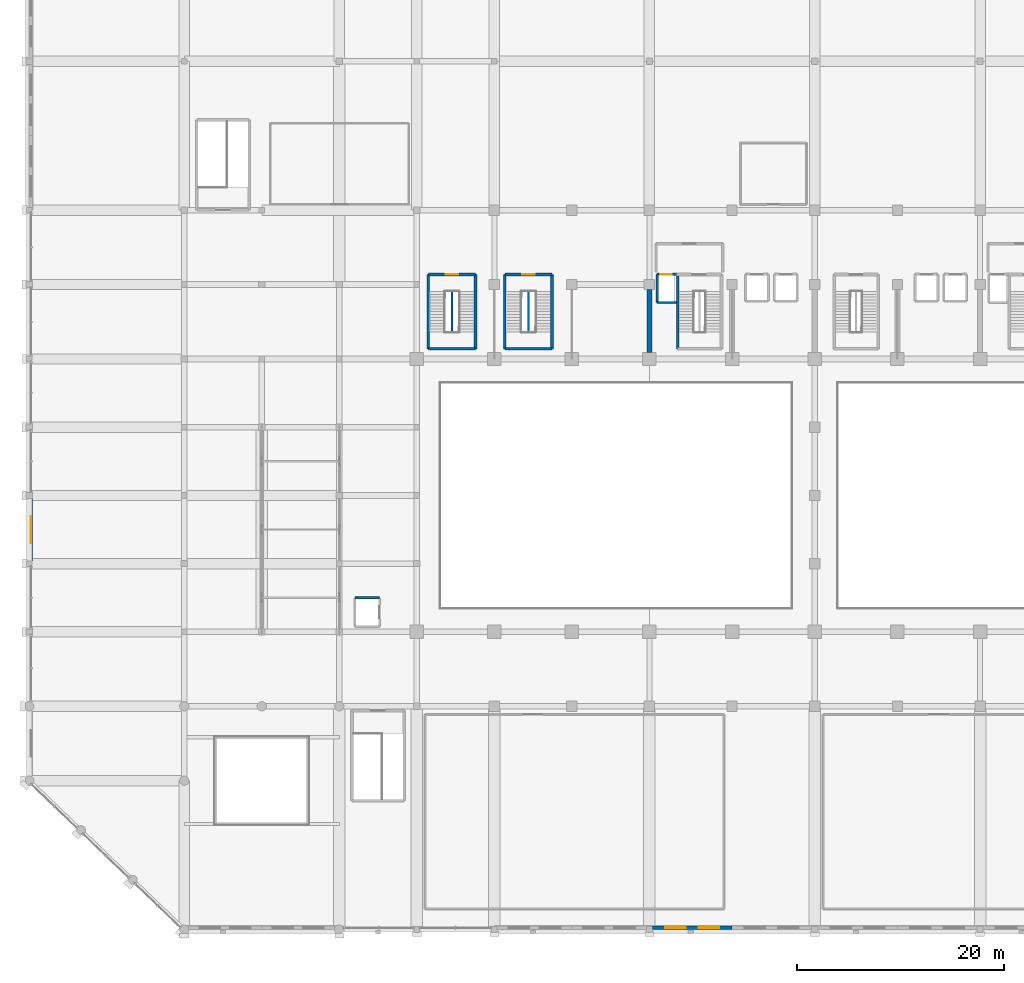
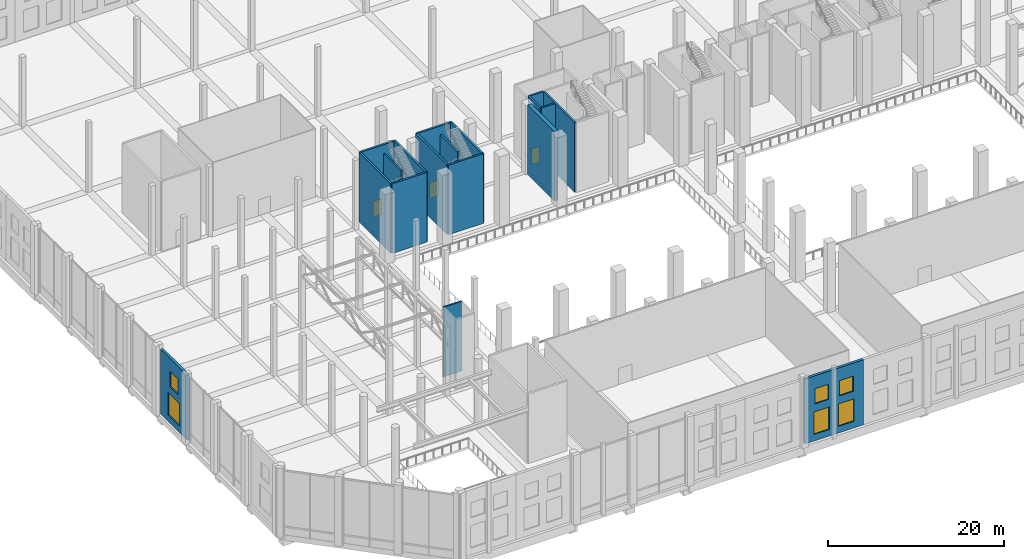
# One storey, part 62 of 80: 18 walls, 6 windows, 3 doors, 9 openings.
"""IFC4 building model written with IfcOpenShell, lengths in metres."""

from ifc_helpers import new_model, si_unit, direction, frame, frame_2d, origin, place, context, subcontext, project, spatial, rectangle, extrude, material, layer, layer_set, type_object, element, fill, save


model = new_model("IFC4")

# Units and contexts
model_context = context("Model", 3, precision=1e-05, world=origin(), true_north=direction((0.0, 1.0)))
body_context = subcontext(model_context, "Body", "Model", "MODEL_VIEW")
ifc_project = project(units=[si_unit("LENGTHUNIT", "METRE"), si_unit("AREAUNIT", "SQUARE_METRE"), si_unit("VOLUMEUNIT", "CUBIC_METRE"), si_unit("PLANEANGLEUNIT", "RADIAN"), si_unit("MASSUNIT", "GRAM", prefix="KILO")], contexts=[model_context])

# Site, building, storey
site_placement = place(None, origin())
site = spatial("IfcSite", under=ifc_project, at=site_placement, CompositionType="ELEMENT")
building_placement = place(site_placement, origin())
building = spatial("IfcBuilding", under=site, at=building_placement, Name="Akrevak Sports Hall", CompositionType="ELEMENT")
storey_placement = place(building_placement, frame((0.0, 0.0, 14.0)))
storey = spatial("IfcBuildingStorey", under=building, at=storey_placement, Name="L03", CompositionType="ELEMENT", Elevation=14.0)

# Wall, openings, windows
ifc_material_1 = material(Name="Limestone Ashlar", Category="stone")
ifc_layer_1 = layer(ifc_material_1, 0.070068359375, Name="Limestone Ashlar")
ifc_material_2 = material(Name="Mineral Wool Thermal Insulation", Category="insulation")
ifc_layer_2 = layer(ifc_material_2, 0.10009765625, Name="Mineral Wool Thermal Insulation")
ifc_material_3 = material(Name="Concrete C40/50", Category="concrete")
ifc_layer_3 = layer(ifc_material_3, 0.169921875, Name="Concrete C40/50")
ifc_layer_set_1 = layer_set([ifc_layer_1, ifc_layer_2, ifc_layer_3], Name="Limestone Ashlar / Mineral Wool Thermal Insulation / Concrete C40/50")
wall_type_1 = type_object("IfcWallType", Name="ARC-WL-EXT-340", PredefinedType="SOLIDWALL", material=ifc_layer_set_1)
wall_1_placement = place(storey_placement, frame((60.300048828125, 0.169921875, 0.0), z_axis=(0.0, 0.0, 1.0), x_axis=(1.0, 0.0, 0.0)))
wall_1 = element("IfcWall", 1, at=wall_1_placement, inside=storey, type_object=wall_type_1, Name="Exterior Limestone Wall L03-S07", PredefinedType="SOLIDWALL", context=body_context, shape_type="SweptSolid", body=[
    extrude(rectangle(XDim=7.699951171875, YDim=0.340087890625, at=frame_2d((3.85009765625, 0.0))), origin(), (0.0, 0.0, 1.0), 9.0),
])
opening_1_placement = place(wall_1_placement, frame((1.23291015625, 0.0, 0.919921875)))
opening_1 = element("IfcOpeningElement", 2, at=opening_1_placement, cuts=wall_1, Name="Opening WN-41", PredefinedType="OPENING", context=body_context, shape_type="SweptSolid", body=[
    extrude(rectangle(XDim=2.0, YDim=3.10009765625, at=frame_2d((1.0, 1.550048828125))), frame((0.0, 0.18212890625, 0.0), z_axis=(0.0, -1.0, 0.0), x_axis=(1.0, 0.0, 0.0)), (0.0, 0.0, 1.0), 0.364013671875),
])
opening_2_placement = place(wall_1_placement, frame((1.3330078125, 0.0, 5.10009765625)))
opening_2 = element("IfcOpeningElement", 3, at=opening_2_placement, cuts=wall_1, Name="Opening WN-37", PredefinedType="OPENING", context=body_context, shape_type="SweptSolid", body=[
    extrude(rectangle(XDim=1.800048828125, YDim=2.10009765625, at=frame_2d((0.89990234375, 1.050048828125))), frame((0.0, 0.18212890625, 0.0), z_axis=(0.0, -1.0, 0.0), x_axis=(1.0, 0.0, 0.0)), (0.0, 0.0, 1.0), 0.364013671875),
])
opening_3_placement = place(wall_1_placement, frame((4.467041015625, 0.0, 0.919921875)))
opening_3 = element("IfcOpeningElement", 4, at=opening_3_placement, cuts=wall_1, Name="Opening WN-41", PredefinedType="OPENING", context=body_context, shape_type="SweptSolid", body=[
    extrude(rectangle(XDim=2.0, YDim=3.10009765625, at=frame_2d((1.0, 1.550048828125))), frame((0.0, 0.18212890625, 0.0), z_axis=(0.0, -1.0, 0.0), x_axis=(1.0, 0.0, 0.0)), (0.0, 0.0, 1.0), 0.364013671875),
])
opening_4_placement = place(wall_1_placement, frame((4.56689453125, 0.0, 5.10009765625)))
opening_4 = element("IfcOpeningElement", 5, at=opening_4_placement, cuts=wall_1, Name="Opening WN-37", PredefinedType="OPENING", context=body_context, shape_type="SweptSolid", body=[
    extrude(rectangle(XDim=1.800048828125, YDim=2.10009765625, at=frame_2d((0.89990234375, 1.050048828125))), frame((0.0, 0.18212890625, 0.0), z_axis=(0.0, -1.0, 0.0), x_axis=(1.0, 0.0, 0.0)), (0.0, 0.0, 1.0), 0.364013671875),
])
ifc_material_4 = material(Name="Thermally Broken Bronze Frame & Double Low-E Glass", Category="glass")
window_type_1 = type_object("IfcWindowType", Name="ARC-WIN-SZ-1800x2100", PartitioningType="SINGLE_PANEL", PredefinedType="WINDOW", material=ifc_material_4)
window_1_placement = place(opening_2_placement, origin())
window_1 = element("IfcWindow", 6, at=window_1_placement, inside=storey, type_object=window_type_1, Name="Beaux-Arts Attic Clerestory Window WIN-L03-S07-1U", OverallHeight=2.10009765625, OverallWidth=1.800048828125, PartitioningType="SINGLE_PANEL", PredefinedType="WINDOW", context=body_context, shape_type="SweptSolid", body=[
    extrude(rectangle(XDim=1.800048828125, YDim=2.10009765625, at=frame_2d((0.89990234375, 1.050048828125))), frame((0.0, 0.030029296875, 0.0), z_axis=(0.0, -1.0, 0.0), x_axis=(1.0, 0.0, 0.0)), (0.0, 0.0, 1.0), 0.06005859375),
])
fill(opening_2, window_1)
window_2_placement = place(opening_4_placement, origin())
window_2 = element("IfcWindow", 7, at=window_2_placement, inside=storey, type_object=window_type_1, Name="Beaux-Arts Attic Clerestory Window WIN-L03-S07-2U", OverallHeight=2.10009765625, OverallWidth=1.800048828125, PartitioningType="SINGLE_PANEL", PredefinedType="WINDOW", context=body_context, shape_type="SweptSolid", body=[
    extrude(rectangle(XDim=1.800048828125, YDim=2.10009765625, at=frame_2d((0.89990234375, 1.050048828125))), frame((0.0, 0.030029296875, 0.0), z_axis=(0.0, -1.0, 0.0), x_axis=(1.0, 0.0, 0.0)), (0.0, 0.0, 1.0), 0.06005859375),
])
fill(opening_4, window_2)
window_type_2 = type_object("IfcWindowType", Name="ARC-WIN-SZ-2000x3100", PartitioningType="SINGLE_PANEL", PredefinedType="WINDOW", material=ifc_material_4)
window_3_placement = place(opening_1_placement, origin())
window_3 = element("IfcWindow", 8, at=window_3_placement, inside=storey, type_object=window_type_2, Name="Beaux-Arts Facade Window WIN-L03-S07-1", OverallHeight=3.10009765625, OverallWidth=2.0, PartitioningType="SINGLE_PANEL", PredefinedType="WINDOW", context=body_context, shape_type="SweptSolid", body=[
    extrude(rectangle(XDim=2.0, YDim=3.10009765625, at=frame_2d((1.0, 1.550048828125))), frame((0.0, 0.030029296875, 0.0), z_axis=(0.0, -1.0, 0.0), x_axis=(1.0, 0.0, 0.0)), (0.0, 0.0, 1.0), 0.06005859375),
])
fill(opening_1, window_3)
window_4_placement = place(opening_3_placement, origin())
window_4 = element("IfcWindow", 9, at=window_4_placement, inside=storey, type_object=window_type_2, Name="Beaux-Arts Facade Window WIN-L03-S07-2", OverallHeight=3.10009765625, OverallWidth=2.0, PartitioningType="SINGLE_PANEL", PredefinedType="WINDOW", context=body_context, shape_type="SweptSolid", body=[
    extrude(rectangle(XDim=2.0, YDim=3.10009765625, at=frame_2d((1.0, 1.550048828125))), frame((0.0, 0.030029296875, 0.0), z_axis=(0.0, -1.0, 0.0), x_axis=(1.0, 0.0, 0.0)), (0.0, 0.0, 1.0), 0.06005859375),
])
fill(opening_3, window_4)

wall_2_placement = place(storey_placement, frame((0.169921875, 41.699951171875, 0.0), z_axis=(0.0, 0.0, 1.0), x_axis=(0.0, -1.0, 0.0)))
wall_2 = element("IfcWall", 10, at=wall_2_placement, inside=storey, type_object=wall_type_1, Name="Exterior Limestone Wall L03-W04", PredefinedType="SOLIDWALL", context=body_context, shape_type="SweptSolid", body=[
    extrude(rectangle(XDim=6.02490234375, YDim=0.340087890625, at=frame_2d((3.012451171875, 0.0))), origin(), (0.0, 0.0, 1.0), 9.0),
])
opening_5_placement = place(wall_2_placement, frame((1.71240234375, 0.0, 0.919921875)))
opening_5 = element("IfcOpeningElement", 11, at=opening_5_placement, cuts=wall_2, Name="Opening WN-42", PredefinedType="OPENING", context=body_context, shape_type="SweptSolid", body=[
    extrude(rectangle(XDim=2.60009765625, YDim=3.10009765625, at=frame_2d((1.300048828125, 1.550048828125))), frame((0.0, 0.18212890625, 0.0), z_axis=(0.0, -1.0, 0.0), x_axis=(1.0, 0.0, 0.0)), (0.0, 0.0, 1.0), 0.364013671875),
])
opening_6_placement = place(wall_2_placement, frame((2.112548828125, 0.0, 5.10009765625)))
opening_6 = element("IfcOpeningElement", 12, at=opening_6_placement, cuts=wall_2, Name="Opening WN-37", PredefinedType="OPENING", context=body_context, shape_type="SweptSolid", body=[
    extrude(rectangle(XDim=1.800048828125, YDim=2.10009765625, at=frame_2d((0.89990234375, 1.050048828125))), frame((0.0, 0.18212890625, 0.0), z_axis=(0.0, -1.0, 0.0), x_axis=(1.0, 0.0, 0.0)), (0.0, 0.0, 1.0), 0.364013671875),
])
window_5_placement = place(opening_6_placement, origin())
window_5 = element("IfcWindow", 13, at=window_5_placement, inside=storey, type_object=window_type_1, Name="Beaux-Arts Attic Clerestory Window WIN-L03-W04U", OverallHeight=2.10009765625, OverallWidth=1.800048828125, PartitioningType="SINGLE_PANEL", PredefinedType="WINDOW", context=body_context, shape_type="SweptSolid", body=[
    extrude(rectangle(XDim=1.800048828125, YDim=2.10009765625, at=frame_2d((0.89990234375, 1.050048828125))), frame((0.0, 0.030029296875, 0.0), z_axis=(0.0, -1.0, 0.0), x_axis=(1.0, 0.0, 0.0)), (0.0, 0.0, 1.0), 0.06005859375),
])
fill(opening_6, window_5)
window_type_3 = type_object("IfcWindowType", Name="ARC-WIN-SZ-2600x3100", PartitioningType="SINGLE_PANEL", PredefinedType="WINDOW", material=ifc_material_4)
window_6_placement = place(opening_5_placement, origin())
window_6 = element("IfcWindow", 14, at=window_6_placement, inside=storey, type_object=window_type_3, Name="Beaux-Arts Facade Window WIN-L03-W04", OverallHeight=3.10009765625, OverallWidth=2.60009765625, PartitioningType="SINGLE_PANEL", PredefinedType="WINDOW", context=body_context, shape_type="SweptSolid", body=[
    extrude(rectangle(XDim=2.60009765625, YDim=3.10009765625, at=frame_2d((1.300048828125, 1.550048828125))), frame((0.0, 0.030029296875, 0.0), z_axis=(0.0, -1.0, 0.0), x_axis=(1.0, 0.0, 0.0)), (0.0, 0.0, 1.0), 0.06005859375),
])
fill(opening_5, window_6)

# Walls
ifc_layer_4 = layer(ifc_material_3, 0.219970703125, Name="Concrete C40/50")
ifc_layer_set_2 = layer_set([ifc_layer_4], Name="Concrete C40/50")
wall_type_2 = type_object("IfcWallType", Name="ARC-WL-PRT-220", PredefinedType="PARTITIONING", material=ifc_layer_set_2)
for number, where, z_axis, x_axis, name in (
    (15, (48.300048828125, 57.81494140625, 0.0), (0.0, 0.0, 1.0), (0.0, 1.0, 0.0), "Stair ST4 Central Spine Wall (L03)"),
    (16, (40.89990234375, 57.81494140625, 0.0), (0.0, 0.0, 1.0), (0.0, 1.0, 0.0), "Stair ST9 Central Spine Wall (L03)"),
):
    element("IfcWall", number, at=place(storey_placement, frame(where, z_axis=z_axis, x_axis=x_axis)), inside=storey, type_object=wall_type_2, Name=name, PredefinedType="PARTITIONING", context=body_context, shape_type="SweptSolid", body=[
        extrude(rectangle(XDim=3.920166015625, YDim=0.219970703125, at=frame_2d((1.9599609375, 0.0))), origin(), (0.0, 0.0, 1.0), 9.64990234375),
    ])
ifc_material_5 = material(Name="Concrete C50/60", Category="concrete")
ifc_layer_5 = layer(ifc_material_5, 0.219970703125, Name="Concrete C50/60")
ifc_layer_set_3 = layer_set([ifc_layer_5], Name="Concrete C50/60")
wall_type_3 = type_object("IfcWallType", Name="ARC-WL-SHAFT-220", PredefinedType="SHEAR", material=ifc_layer_set_3)
wall_3_placement = place(storey_placement, frame((60.760009765625, 60.659912109375, 0.0), z_axis=(0.0, 0.0, 1.0), x_axis=(1.0, 0.0, 0.0)))
element("IfcWall", 17, at=wall_3_placement, inside=storey, type_object=wall_type_3, Name="Lift Shaft LF-FF1 Wall S (L03)", PredefinedType="SHEAR", context=body_context, shape_type="SweptSolid", body=[
    extrude(rectangle(XDim=1.840087890625, YDim=0.219970703125, at=frame_2d((0.919921875, 0.0))), origin(), (0.0, 0.0, 1.0), 9.64990234375),
])

# Wall, opening, door
wall_4_placement = place(storey_placement, frame((62.60009765625, 63.389892578125, 0.0), z_axis=(0.0, 0.0, 1.0), x_axis=(-1.0, 0.0, 0.0)))
wall_4 = element("IfcWall", 18, at=wall_4_placement, inside=storey, type_object=wall_type_3, Name="Lift Shaft LF-FF1 Wall N (L03)", PredefinedType="SHEAR", context=body_context, shape_type="SweptSolid", body=[
    extrude(rectangle(XDim=1.840087890625, YDim=0.219970703125, at=frame_2d((0.919921875, 0.0))), origin(), (0.0, 0.0, 1.0), 9.64990234375),
])
opening_7_placement = place(wall_4_placement, frame((0.425048828125, 0.0, 0.0)))
opening_7 = element("IfcOpeningElement", 19, at=opening_7_placement, cuts=wall_4, Name="Opening LD-01", PredefinedType="OPENING", context=body_context, shape_type="SweptSolid", body=[
    extrude(rectangle(XDim=1.10009765625, YDim=2.199951171875, at=frame_2d((0.550048828125, 1.10009765625))), frame((0.0, 0.1220703125, 0.0), z_axis=(0.0, -1.0, 0.0), x_axis=(1.0, 0.0, 0.0)), (0.0, 0.0, 1.0), 0.243896484375),
])
ifc_material_6 = material(Name="Brushed Stainless Steel 304", Category="steel")
door_type_1 = type_object("IfcDoorType", Name="ARC-DR-LD-110x220", OperationType="SLIDING_TO_LEFT", PredefinedType="DOOR", material=ifc_material_6)
door_1_placement = place(opening_7_placement, origin())
door_1 = element("IfcDoor", 20, at=door_1_placement, inside=storey, type_object=door_type_1, Name="Lift LF-FF1 Sliding Landing Door (L03)", OperationType="SLIDING_TO_RIGHT", OverallHeight=2.199951171875, OverallWidth=1.10009765625, PredefinedType="DOOR", context=body_context, shape_type="SweptSolid", body=[
    extrude(rectangle(XDim=1.10009765625, YDim=2.199951171875, at=frame_2d((0.550048828125, 1.10009765625))), frame((0.0, 0.02490234375, 0.0), z_axis=(0.0, -1.0, 0.0), x_axis=(1.0, 0.0, 0.0)), (0.0, 0.0, 1.0), 0.050048828125),
])
fill(opening_7, door_1)

# Walls
wall_5_placement = place(storey_placement, frame((60.760009765625, 63.389892578125, 0.0), z_axis=(0.0, 0.0, 1.0), x_axis=(0.0, -1.0, 0.0)))
element("IfcWall", 21, at=wall_5_placement, inside=storey, type_object=wall_type_3, Name="Lift Shaft LF-FF1 Wall W (L03)", PredefinedType="SHEAR", context=body_context, shape_type="SweptSolid", body=[
    extrude(rectangle(XDim=2.72998046875, YDim=0.219970703125, at=frame_2d((1.364990234375, 0.0))), origin(), (0.0, 0.0, 1.0), 9.64990234375),
])
wall_6_placement = place(storey_placement, frame((33.889892578125, 32.090087890625, 0.0), z_axis=(0.0, 0.0, 1.0), x_axis=(-1.0, 0.0, 0.0)))
element("IfcWall", 22, at=wall_6_placement, inside=storey, type_object=wall_type_3, Name="Lift Shaft LF-G1 Wall N (L03)", PredefinedType="SHEAR", context=body_context, shape_type="SweptSolid", body=[
    extrude(rectangle(XDim=2.3798828125, YDim=0.219970703125, at=frame_2d((1.18994140625, 0.0))), origin(), (0.0, 0.0, 1.0), 9.64990234375),
])
ifc_layer_6 = layer(ifc_material_5, 0.5, Name="Concrete C50/60")
ifc_layer_set_4 = layer_set([ifc_layer_6], Name="Concrete C50/60")
wall_type_4 = type_object("IfcWallType", Name="STR-WL-CORE-500", PredefinedType="SHEAR", material=ifc_layer_set_4)
wall_7_placement = place(storey_placement, frame((60.0, 55.85009765625, 0.0), z_axis=(0.0, 0.0, 1.0), x_axis=(0.0, 1.0, 0.0)))
element("IfcWall", 23, at=wall_7_placement, inside=storey, type_object=wall_type_4, Name="Reinforced Concrete Shear Wall SW-W2 (L03)", PredefinedType="SHEAR", context=body_context, shape_type="SweptSolid", body=[
    extrude(rectangle(XDim=6.0498046875, YDim=0.5, at=frame_2d((3.02490234375, 0.0))), origin(), (0.0, 0.0, 1.0), 9.64990234375),
])
ifc_layer_7 = layer(ifc_material_5, 0.25, Name="Concrete C50/60")
ifc_layer_set_5 = layer_set([ifc_layer_7], Name="Concrete C50/60")
wall_type_5 = type_object("IfcWallType", Name="STR-WL-STAIR-250", PredefinedType="SHEAR", material=ifc_layer_set_5)
wall_8_placement = place(storey_placement, frame((62.72509765625, 63.25, 0.0), z_axis=(0.0, 0.0, 1.0), x_axis=(0.0, -1.0, 0.0)))
element("IfcWall", 24, at=wall_8_placement, inside=storey, type_object=wall_type_5, Name="Stair Core ST1 Shear Wall W (L03)", PredefinedType="SHEAR", context=body_context, shape_type="SweptSolid", body=[
    extrude(rectangle(XDim=7.074951171875, YDim=0.25, at=frame_2d((3.53759765625, 0.0))), origin(), (0.0, 0.0, 1.0), 9.64990234375),
])
wall_9_placement = place(storey_placement, frame((46.02490234375, 56.175048828125, 0.0), z_axis=(0.0, 0.0, 1.0), x_axis=(1.0, 0.0, 0.0)))
element("IfcWall", 25, at=wall_9_placement, inside=storey, type_object=wall_type_5, Name="Stair Core ST4 Shear Wall S (L03)", PredefinedType="SHEAR", context=body_context, shape_type="SweptSolid", body=[
    extrude(rectangle(XDim=4.550048828125, YDim=0.25, at=frame_2d((2.27490234375, 0.0))), origin(), (0.0, 0.0, 1.0), 9.64990234375),
])

# Wall, opening, door
wall_10_placement = place(storey_placement, frame((50.574951171875, 63.375, 0.0), z_axis=(0.0, 0.0, 1.0), x_axis=(-1.0, 0.0, 0.0)))
wall_10 = element("IfcWall", 26, at=wall_10_placement, inside=storey, type_object=wall_type_5, Name="Stair Core ST4 Shear Wall N (L03)", PredefinedType="SHEAR", context=body_context, shape_type="SweptSolid", body=[
    extrude(rectangle(XDim=4.550048828125, YDim=0.25, at=frame_2d((2.27490234375, 0.0))), origin(), (0.0, 0.0, 1.0), 9.64990234375),
])
opening_8_placement = place(wall_10_placement, frame((1.675048828125, 0.0, 0.0)))
opening_8 = element("IfcOpeningElement", 27, at=opening_8_placement, cuts=wall_10, Name="Opening SD-02", PredefinedType="OPENING", context=body_context, shape_type="SweptSolid", body=[
    extrude(rectangle(XDim=1.199951171875, YDim=2.199951171875, at=frame_2d((0.60009765625, 1.10009765625))), frame((0.0, 0.136962890625, 0.0), z_axis=(0.0, -1.0, 0.0), x_axis=(1.0, 0.0, 0.0)), (0.0, 0.0, 1.0), 0.27392578125),
])
ifc_material_7 = material(Name="Fire-Rated Galvanized Door Steel", Category="steel")
door_type_2 = type_object("IfcDoorType", Name="ARC-DR-STAIR-120x220", OperationType="NOTDEFINED", PredefinedType="DOOR", material=ifc_material_7)
door_2_placement = place(opening_8_placement, origin())
door_2 = element("IfcDoor", 28, at=door_2_placement, inside=storey, type_object=door_type_2, Name="Exit Stair ST4 Door (L03)", OperationType="SINGLE_SWING_RIGHT", OverallHeight=2.199951171875, OverallWidth=1.199951171875, PredefinedType="DOOR", context=body_context, shape_type="SweptSolid", body=[
    extrude(rectangle(XDim=1.199951171875, YDim=2.199951171875, at=frame_2d((0.60009765625, 1.10009765625))), frame((0.0, 0.02490234375, 0.0), z_axis=(0.0, -1.0, 0.0), x_axis=(1.0, 0.0, 0.0)), (0.0, 0.0, 1.0), 0.050048828125),
])
fill(opening_8, door_2)

# Walls
for number, where, z_axis, x_axis, name in (
    (29, (46.02490234375, 63.375, 0.0), (0.0, 0.0, 1.0), (0.0, -1.0, 0.0), "Stair Core ST4 Shear Wall W (L03)"),
    (30, (50.574951171875, 56.175048828125, 0.0), (0.0, 0.0, 1.0), (0.0, 1.0, 0.0), "Stair Core ST4 Shear Wall E (L03)"),
):
    element("IfcWall", number, at=place(storey_placement, frame(where, z_axis=z_axis, x_axis=x_axis)), inside=storey, type_object=wall_type_5, Name=name, PredefinedType="SHEAR", context=body_context, shape_type="SweptSolid", body=[
        extrude(rectangle(XDim=7.199951171875, YDim=0.25, at=frame_2d((3.60009765625, 0.0))), origin(), (0.0, 0.0, 1.0), 9.64990234375),
    ])
wall_11_placement = place(storey_placement, frame((38.625, 56.175048828125, 0.0), z_axis=(0.0, 0.0, 1.0), x_axis=(1.0, 0.0, 0.0)))
element("IfcWall", 31, at=wall_11_placement, inside=storey, type_object=wall_type_5, Name="Stair Core ST9 Shear Wall S (L03)", PredefinedType="SHEAR", context=body_context, shape_type="SweptSolid", body=[
    extrude(rectangle(XDim=4.550048828125, YDim=0.25, at=frame_2d((2.27490234375, 0.0))), origin(), (0.0, 0.0, 1.0), 9.64990234375),
])

# Wall, opening, door
wall_12_placement = place(storey_placement, frame((43.175048828125, 63.375, 0.0), z_axis=(0.0, 0.0, 1.0), x_axis=(-1.0, 0.0, 0.0)))
wall_12 = element("IfcWall", 32, at=wall_12_placement, inside=storey, type_object=wall_type_5, Name="Stair Core ST9 Shear Wall N (L03)", PredefinedType="SHEAR", context=body_context, shape_type="SweptSolid", body=[
    extrude(rectangle(XDim=4.550048828125, YDim=0.25, at=frame_2d((2.27490234375, 0.0))), origin(), (0.0, 0.0, 1.0), 9.64990234375),
])
opening_9_placement = place(wall_12_placement, frame((1.675048828125, 0.0, 0.0)))
opening_9 = element("IfcOpeningElement", 33, at=opening_9_placement, cuts=wall_12, Name="Opening SD-02", PredefinedType="OPENING", context=body_context, shape_type="SweptSolid", body=[
    extrude(rectangle(XDim=1.199951171875, YDim=2.199951171875, at=frame_2d((0.60009765625, 1.10009765625))), frame((0.0, 0.136962890625, 0.0), z_axis=(0.0, -1.0, 0.0), x_axis=(1.0, 0.0, 0.0)), (0.0, 0.0, 1.0), 0.27392578125),
])
door_3_placement = place(opening_9_placement, origin())
door_3 = element("IfcDoor", 34, at=door_3_placement, inside=storey, type_object=door_type_2, Name="Exit Stair ST9 Door (L03)", OperationType="SINGLE_SWING_LEFT", OverallHeight=2.199951171875, OverallWidth=1.199951171875, PredefinedType="DOOR", context=body_context, shape_type="SweptSolid", body=[
    extrude(rectangle(XDim=1.199951171875, YDim=2.199951171875, at=frame_2d((0.60009765625, 1.10009765625))), frame((0.0, 0.02490234375, 0.0), z_axis=(0.0, -1.0, 0.0), x_axis=(1.0, 0.0, 0.0)), (0.0, 0.0, 1.0), 0.050048828125),
])
fill(opening_9, door_3)

# Walls
for number, where, z_axis, x_axis, name in (
    (35, (38.625, 63.375, 0.0), (0.0, 0.0, 1.0), (0.0, -1.0, 0.0), "Stair Core ST9 Shear Wall W (L03)"),
    (36, (43.175048828125, 56.175048828125, 0.0), (0.0, 0.0, 1.0), (0.0, 1.0, 0.0), "Stair Core ST9 Shear Wall E (L03)"),
):
    element("IfcWall", number, at=place(storey_placement, frame(where, z_axis=z_axis, x_axis=x_axis)), inside=storey, type_object=wall_type_5, Name=name, PredefinedType="SHEAR", context=body_context, shape_type="SweptSolid", body=[
        extrude(rectangle(XDim=7.199951171875, YDim=0.25, at=frame_2d((3.60009765625, 0.0))), origin(), (0.0, 0.0, 1.0), 9.64990234375),
    ])

save(model, "model.ifc")
